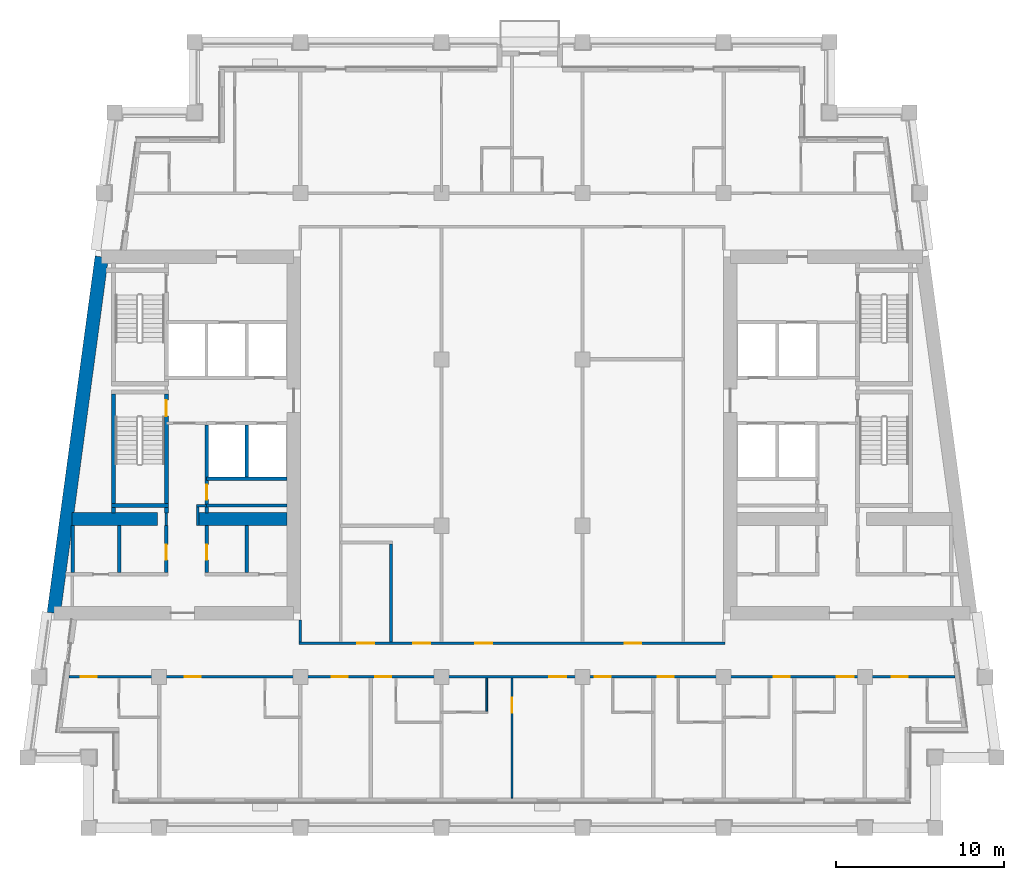
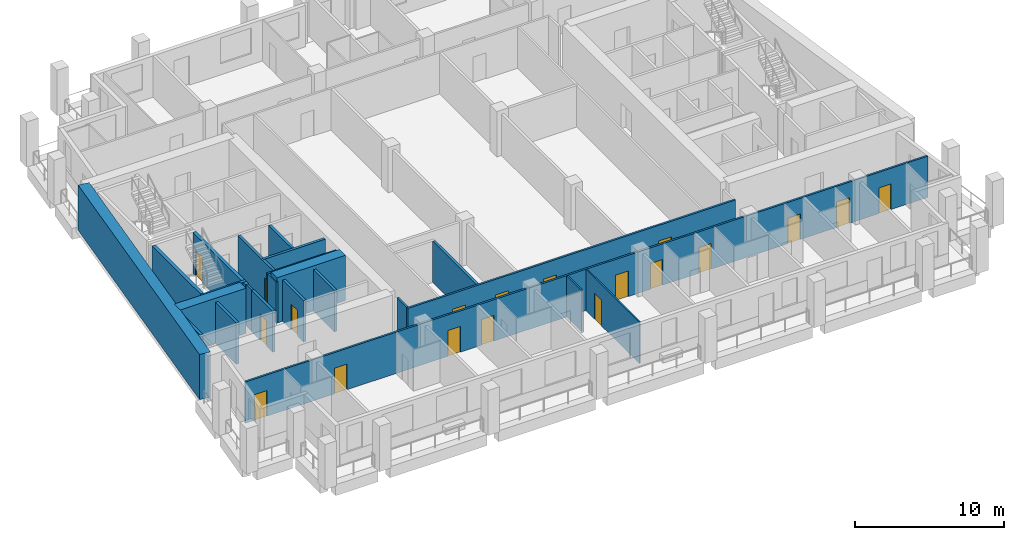
# One storey, part 3 of 13: 24 walls, 19 doors, 19 openings.
"""IFC4 building model written with IfcOpenShell, lengths in metres."""

from ifc_helpers import new_model, si_unit, direction, frame, frame_2d, origin, place, context, subcontext, project, spatial, rectangle, extrude, material, layer, layer_set, type_object, element, fill, save


model = new_model("IFC4")

# Units and contexts
model_context = context("Model", 3, precision=1e-05, world=origin(), true_north=direction((0.0, 1.0)))
body_context = subcontext(model_context, "Body", "Model", "MODEL_VIEW")
ifc_project = project(units=[si_unit("LENGTHUNIT", "METRE"), si_unit("AREAUNIT", "SQUARE_METRE"), si_unit("VOLUMEUNIT", "CUBIC_METRE"), si_unit("PLANEANGLEUNIT", "RADIAN"), si_unit("MASSUNIT", "GRAM", prefix="KILO")], contexts=[model_context])

# Site, building, storey
site_placement = place(None, origin())
site = spatial("IfcSite", under=ifc_project, at=site_placement, CompositionType="ELEMENT")
building_placement = place(site_placement, origin())
building = spatial("IfcBuilding", under=site, at=building_placement, Name="Candeia Pilgrim Tower and Theatre", CompositionType="ELEMENT")
storey_placement = place(building_placement, frame((0.0, 0.0, 220.699951171875)))
storey = spatial("IfcBuildingStorey", under=building, at=storey_placement, Name="L53", CompositionType="ELEMENT", Elevation=220.699951171875)

# Walls
ifc_material_1 = material(Name="Concrete C50/60", Category="concrete")
ifc_layer_1 = layer(ifc_material_1, 0.800048828125)
ifc_layer_set_1 = layer_set([ifc_layer_1], Name="Core wall 800 C50/60")
wall_type_1 = type_object("IfcWallType", Name="Core wall 800 C50/60", PredefinedType="SHEAR", material=ifc_layer_set_1)
wall_1_placement = place(storey_placement, frame((86.126708984375, 110.800048828125, 0.0), z_axis=(0.0, 0.0, 1.0), x_axis=(0.133408347329, 0.991061154956, 0.0)))
element("IfcWall", 1, at=wall_1_placement, inside=storey, type_object=wall_type_1, Name="Core wall W4", PredefinedType="SHEAR", context=body_context, shape_type="SweptSolid", body=[
    extrude(rectangle(XDim=21.39111328125, YDim=0.800048828125, at=frame_2d((10.695556640625, 0.0))), origin(), (0.0, 0.0, 1.0), 3.699951171875),
])
wall_2_placement = place(storey_placement, frame((87.22314453125, 116.39990234375, 0.0), z_axis=(0.0, 0.0, 1.0), x_axis=(1.0, 0.0, 0.0)))
element("IfcWall", 2, at=wall_2_placement, inside=storey, type_object=wall_type_1, Name="Core wall W5", PredefinedType="SHEAR", context=body_context, shape_type="SweptSolid", body=[
    extrude(rectangle(XDim=5.076904296875, YDim=0.800048828125, at=frame_2d((2.53857421875, 0.0))), origin(), (0.0, 0.0, 1.0), 3.699951171875),
])
wall_3_placement = place(storey_placement, frame((94.699951171875, 116.39990234375, 0.0), z_axis=(0.0, 0.0, 1.0), x_axis=(1.0, 0.0, 0.0)))
element("IfcWall", 3, at=wall_3_placement, inside=storey, type_object=wall_type_1, Name="Core wall W6", PredefinedType="SHEAR", context=body_context, shape_type="SweptSolid", body=[
    extrude(rectangle(XDim=5.300048828125, YDim=0.800048828125, at=frame_2d((2.64990234375, 0.0))), origin(), (0.0, 0.0, 1.0), 3.699951171875),
])
ifc_material_2 = material(Name="Gypsum board partition on steel studs", Category="steel")
ifc_layer_2 = layer(ifc_material_2, 0.10009765625)
ifc_layer_set_2 = layer_set([ifc_layer_2], Name="PW-100 room partition")
wall_type_2 = type_object("IfcWallType", Name="PW-100 room partition", PredefinedType="PARTITIONING", material=ifc_layer_set_2)
wall_4_placement = place(storey_placement, frame((111.89990234375, 104.949951171875, 0.0), z_axis=(0.0, 0.0, 1.0), x_axis=(0.0, 1.0, 0.0)))
element("IfcWall", 4, at=wall_4_placement, inside=storey, type_object=wall_type_2, Name="Room partition L53-084", PredefinedType="PARTITIONING", context=body_context, shape_type="SweptSolid", body=[
    extrude(rectangle(XDim=1.97509765625, YDim=0.10009765625, at=frame_2d((0.987548828125, 0.0))), origin(), (0.0, 0.0, 1.0), 3.380126953125),
])

# Wall, opening, door
wall_5_placement = place(storey_placement, frame((113.39990234375, 99.7900390625, 0.0), z_axis=(0.0, 0.0, 1.0), x_axis=(0.0, 1.0, 0.0)))
wall_5 = element("IfcWall", 5, at=wall_5_placement, inside=storey, type_object=wall_type_2, Name="Room partition L53-085", PredefinedType="PARTITIONING", context=body_context, shape_type="SweptSolid", body=[
    extrude(rectangle(XDim=7.135009765625, YDim=0.10009765625, at=frame_2d((3.5673828125, 0.0))), origin(), (0.0, 0.0, 1.0), 3.380126953125),
])
opening_1_placement = place(wall_5_placement, frame((5.074951171875, 0.0, 0.0)))
opening_1 = element("IfcOpeningElement", 6, at=opening_1_placement, cuts=wall_5, Name="Opening L53-D025", PredefinedType="OPENING", context=body_context, shape_type="SweptSolid", body=[
    extrude(rectangle(XDim=0.89990234375, YDim=2.10009765625, at=frame_2d((0.449951171875, 1.050048828125))), frame((0.0, 0.06005859375, 0.0), z_axis=(0.0, -1.0, 0.0), x_axis=(1.0, 0.0, 0.0)), (0.0, 0.0, 1.0), 0.1201171875),
])
ifc_material_3 = material(Name="Timber door leaf", Category="wood")
door_type_1 = type_object("IfcDoorType", Name="D-900", OperationType="NOTDEFINED", PredefinedType="DOOR", material=ifc_material_3)
door_1_placement = place(opening_1_placement, origin())
door_1 = element("IfcDoor", 7, at=door_1_placement, inside=storey, type_object=door_type_1, Name="Door L53-D025", OperationType="SINGLE_SWING_RIGHT", OverallHeight=2.10009765625, OverallWidth=0.89990234375, PredefinedType="DOOR", context=body_context, shape_type="SweptSolid", body=[
    extrude(rectangle(XDim=0.89990234375, YDim=2.10009765625, at=frame_2d((0.449951171875, 1.050048828125))), frame((0.0, 0.02490234375, 0.0), z_axis=(0.0, -1.0, 0.0), x_axis=(1.0, 0.0, 0.0)), (0.0, 0.0, 1.0), 0.050048828125),
])
fill(opening_1, door_1)

# Walls
ifc_layer_3 = layer(ifc_material_2, 0.14990234375)
ifc_layer_set_3 = layer_set([ifc_layer_3], Name="PW-150 lobby wall")
wall_type_3 = type_object("IfcWallType", Name="PW-150 lobby wall", PredefinedType="PARTITIONING", material=ifc_layer_set_3)
wall_6_placement = place(storey_placement, frame((94.625, 117.199951171875, 0.0), z_axis=(0.0, 0.0, 1.0), x_axis=(1.0, 0.0, 0.0)))
element("IfcWall", 8, at=wall_6_placement, inside=storey, type_object=wall_type_3, Name="Lobby wall L53-020", PredefinedType="PARTITIONING", context=body_context, shape_type="SweptSolid", body=[
    extrude(rectangle(XDim=0.60205078125, YDim=0.14990234375, at=frame_2d((0.301025390625, 0.0))), origin(), (0.0, 0.0, 1.0), 3.380126953125),
])
wall_7_placement = place(storey_placement, frame((92.826904296875, 116.0, 0.0), z_axis=(0.0, 0.0, 1.0), x_axis=(0.0, 1.0, 0.0)))
element("IfcWall", 9, at=wall_7_placement, inside=storey, type_object=wall_type_3, Name="Lobby wall L53-058", PredefinedType="PARTITIONING", context=body_context, shape_type="SweptSolid", body=[
    extrude(rectangle(XDim=0.77001953125, YDim=0.14990234375, at=frame_2d((0.385009765625, 0.0))), origin(), (0.0, 0.0, 1.0), 3.380126953125),
])
wall_8_placement = place(storey_placement, frame((94.699951171875, 116.0, 0.0), z_axis=(0.0, 0.0, 1.0), x_axis=(0.0, 1.0, 0.0)))
element("IfcWall", 10, at=wall_8_placement, inside=storey, type_object=wall_type_3, Name="Lobby wall L53-063", PredefinedType="PARTITIONING", context=body_context, shape_type="SweptSolid", body=[
    extrude(rectangle(XDim=1.125, YDim=0.14990234375, at=frame_2d((0.5625, 0.0))), origin(), (0.0, 0.0, 1.0), 3.380126953125),
])

# Wall, openings, doors
ifc_layer_4 = layer(ifc_material_2, 0.14990234375)
ifc_layer_set_4 = layer_set([ifc_layer_4], Name="PW-150 unit wall")
wall_type_4 = type_object("IfcWallType", Name="PW-150 unit wall", PredefinedType="PARTITIONING", material=ifc_layer_set_4)
wall_9_placement = place(storey_placement, frame((87.017578125, 107.0, 0.0), z_axis=(0.0, 0.0, 1.0), x_axis=(1.0, 0.0, 0.0)))
wall_9 = element("IfcWall", 11, at=wall_9_placement, inside=storey, type_object=wall_type_4, Name="Unit wall L53-010", PredefinedType="PARTITIONING", context=body_context, shape_type="SweptSolid", body=[
    extrude(rectangle(XDim=52.7646484375, YDim=0.14990234375, at=frame_2d((26.38232421875, 0.0))), origin(), (0.0, 0.0, 1.0), 3.380126953125),
])
opening_2_placement = place(wall_9_placement, frame((0.707275390625, 0.0, 0.0)))
opening_2 = element("IfcOpeningElement", 12, at=opening_2_placement, cuts=wall_9, Name="Opening L53-D017", PredefinedType="OPENING", context=body_context, shape_type="SweptSolid", body=[
    extrude(rectangle(XDim=0.949951171875, YDim=2.10009765625, at=frame_2d((0.47509765625, 1.050048828125))), frame((0.0, 0.0849609375, 0.0), z_axis=(0.0, -1.0, 0.0), x_axis=(1.0, 0.0, 0.0)), (0.0, 0.0, 1.0), 0.169921875),
])
opening_3_placement = place(wall_9_placement, frame((6.894287109375, 0.0, 0.0)))
opening_3 = element("IfcOpeningElement", 13, at=opening_3_placement, cuts=wall_9, Name="Opening L53-D019", PredefinedType="OPENING", context=body_context, shape_type="SweptSolid", body=[
    extrude(rectangle(XDim=0.949951171875, YDim=2.10009765625, at=frame_2d((0.47509765625, 1.050048828125))), frame((0.0, 0.0849609375, 0.0), z_axis=(0.0, -1.0, 0.0), x_axis=(1.0, 0.0, 0.0)), (0.0, 0.0, 1.0), 0.169921875),
])
opening_4_placement = place(wall_9_placement, frame((15.662353515625, 0.0, 0.0)))
opening_4 = element("IfcOpeningElement", 14, at=opening_4_placement, cuts=wall_9, Name="Opening L53-D021", PredefinedType="OPENING", context=body_context, shape_type="SweptSolid", body=[
    extrude(rectangle(XDim=0.949951171875, YDim=2.10009765625, at=frame_2d((0.47509765625, 1.050048828125))), frame((0.0, 0.0849609375, 0.0), z_axis=(0.0, -1.0, 0.0), x_axis=(1.0, 0.0, 0.0)), (0.0, 0.0, 1.0), 0.169921875),
])
opening_5_placement = place(wall_9_placement, frame((18.25732421875, 0.0, 0.0)))
opening_5 = element("IfcOpeningElement", 15, at=opening_5_placement, cuts=wall_9, Name="Opening L53-D022", PredefinedType="OPENING", context=body_context, shape_type="SweptSolid", body=[
    extrude(rectangle(XDim=0.949951171875, YDim=2.10009765625, at=frame_2d((0.47509765625, 1.050048828125))), frame((0.0, 0.0849609375, 0.0), z_axis=(0.0, -1.0, 0.0), x_axis=(1.0, 0.0, 0.0)), (0.0, 0.0, 1.0), 0.169921875),
])
opening_6_placement = place(wall_9_placement, frame((28.607421875, 0.0, 0.0)))
opening_6 = element("IfcOpeningElement", 16, at=opening_6_placement, cuts=wall_9, Name="Opening L53-D024", PredefinedType="OPENING", context=body_context, shape_type="SweptSolid", body=[
    extrude(rectangle(XDim=1.0, YDim=2.10009765625, at=frame_2d((0.5, 1.050048828125))), frame((0.0, 0.0849609375, 0.0), z_axis=(0.0, -1.0, 0.0), x_axis=(1.0, 0.0, 0.0)), (0.0, 0.0, 1.0), 0.169921875),
])
opening_7_placement = place(wall_9_placement, frame((31.30224609375, 0.0, 0.0)))
opening_7 = element("IfcOpeningElement", 17, at=opening_7_placement, cuts=wall_9, Name="Opening L53-D027", PredefinedType="OPENING", context=body_context, shape_type="SweptSolid", body=[
    extrude(rectangle(XDim=0.949951171875, YDim=2.10009765625, at=frame_2d((0.47509765625, 1.050048828125))), frame((0.0, 0.0849609375, 0.0), z_axis=(0.0, -1.0, 0.0), x_axis=(1.0, 0.0, 0.0)), (0.0, 0.0, 1.0), 0.169921875),
])
opening_8_placement = place(wall_9_placement, frame((35.057373046875, 0.0, 0.0)))
opening_8 = element("IfcOpeningElement", 18, at=opening_8_placement, cuts=wall_9, Name="Opening L53-D029", PredefinedType="OPENING", context=body_context, shape_type="SweptSolid", body=[
    extrude(rectangle(XDim=0.949951171875, YDim=2.10009765625, at=frame_2d((0.47509765625, 1.050048828125))), frame((0.0, 0.0849609375, 0.0), z_axis=(0.0, -1.0, 0.0), x_axis=(1.0, 0.0, 0.0)), (0.0, 0.0, 1.0), 0.169921875),
])
opening_9_placement = place(wall_9_placement, frame((41.957275390625, 0.0, 0.0)))
opening_9 = element("IfcOpeningElement", 19, at=opening_9_placement, cuts=wall_9, Name="Opening L53-D031", PredefinedType="OPENING", context=body_context, shape_type="SweptSolid", body=[
    extrude(rectangle(XDim=0.949951171875, YDim=2.10009765625, at=frame_2d((0.47509765625, 1.050048828125))), frame((0.0, 0.0849609375, 0.0), z_axis=(0.0, -1.0, 0.0), x_axis=(1.0, 0.0, 0.0)), (0.0, 0.0, 1.0), 0.169921875),
])
opening_10_placement = place(wall_9_placement, frame((45.71240234375, 0.0, 0.0)))
opening_10 = element("IfcOpeningElement", 20, at=opening_10_placement, cuts=wall_9, Name="Opening L53-D033", PredefinedType="OPENING", context=body_context, shape_type="SweptSolid", body=[
    extrude(rectangle(XDim=1.0, YDim=2.10009765625, at=frame_2d((0.5, 1.050048828125))), frame((0.0, 0.0849609375, 0.0), z_axis=(0.0, -1.0, 0.0), x_axis=(1.0, 0.0, 0.0)), (0.0, 0.0, 1.0), 0.169921875),
])
opening_11_placement = place(wall_9_placement, frame((48.974365234375, 0.0, 0.0)))
opening_11 = element("IfcOpeningElement", 21, at=opening_11_placement, cuts=wall_9, Name="Opening L53-D035", PredefinedType="OPENING", context=body_context, shape_type="SweptSolid", body=[
    extrude(rectangle(XDim=0.949951171875, YDim=2.10009765625, at=frame_2d((0.47509765625, 1.050048828125))), frame((0.0, 0.0849609375, 0.0), z_axis=(0.0, -1.0, 0.0), x_axis=(1.0, 0.0, 0.0)), (0.0, 0.0, 1.0), 0.169921875),
])
ifc_material_4 = material(Name="Steel fire door set", Category="steel")
door_type_2 = type_object("IfcDoorType", Name="D-1000-FD30S", OperationType="NOTDEFINED", PredefinedType="DOOR", material=ifc_material_4)
door_2_placement = place(opening_6_placement, origin())
door_2 = element("IfcDoor", 22, at=door_2_placement, inside=storey, type_object=door_type_2, Name="Door L53-D024", OperationType="SINGLE_SWING_LEFT", OverallHeight=2.10009765625, OverallWidth=1.0, PredefinedType="DOOR", context=body_context, shape_type="SweptSolid", body=[
    extrude(rectangle(XDim=1.0, YDim=2.10009765625, at=frame_2d((0.5, 1.050048828125))), frame((0.0, 0.02490234375, 0.0), z_axis=(0.0, -1.0, 0.0), x_axis=(1.0, 0.0, 0.0)), (0.0, 0.0, 1.0), 0.050048828125),
])
fill(opening_6, door_2)
door_3_placement = place(opening_10_placement, origin())
door_3 = element("IfcDoor", 23, at=door_3_placement, inside=storey, type_object=door_type_2, Name="Door L53-D033", OperationType="SINGLE_SWING_RIGHT", OverallHeight=2.10009765625, OverallWidth=1.0, PredefinedType="DOOR", context=body_context, shape_type="SweptSolid", body=[
    extrude(rectangle(XDim=1.0, YDim=2.10009765625, at=frame_2d((0.5, 1.050048828125))), frame((0.0, 0.02490234375, 0.0), z_axis=(0.0, -1.0, 0.0), x_axis=(1.0, 0.0, 0.0)), (0.0, 0.0, 1.0), 0.050048828125),
])
fill(opening_10, door_3)
door_type_3 = type_object("IfcDoorType", Name="D-950-FD30S", OperationType="NOTDEFINED", PredefinedType="DOOR", material=ifc_material_4)
door_4_placement = place(opening_2_placement, origin())
door_4 = element("IfcDoor", 24, at=door_4_placement, inside=storey, type_object=door_type_3, Name="Door L53-D017", OperationType="SINGLE_SWING_RIGHT", OverallHeight=2.10009765625, OverallWidth=0.949951171875, PredefinedType="DOOR", context=body_context, shape_type="SweptSolid", body=[
    extrude(rectangle(XDim=0.949951171875, YDim=2.10009765625, at=frame_2d((0.47509765625, 1.050048828125))), frame((0.0, 0.02490234375, 0.0), z_axis=(0.0, -1.0, 0.0), x_axis=(1.0, 0.0, 0.0)), (0.0, 0.0, 1.0), 0.050048828125),
])
fill(opening_2, door_4)
door_5_placement = place(opening_3_placement, origin())
door_5 = element("IfcDoor", 25, at=door_5_placement, inside=storey, type_object=door_type_3, Name="Door L53-D019", OperationType="SINGLE_SWING_RIGHT", OverallHeight=2.10009765625, OverallWidth=0.949951171875, PredefinedType="DOOR", context=body_context, shape_type="SweptSolid", body=[
    extrude(rectangle(XDim=0.949951171875, YDim=2.10009765625, at=frame_2d((0.47509765625, 1.050048828125))), frame((0.0, 0.02490234375, 0.0), z_axis=(0.0, -1.0, 0.0), x_axis=(1.0, 0.0, 0.0)), (0.0, 0.0, 1.0), 0.050048828125),
])
fill(opening_3, door_5)
door_6_placement = place(opening_4_placement, origin())
door_6 = element("IfcDoor", 26, at=door_6_placement, inside=storey, type_object=door_type_3, Name="Door L53-D021", OperationType="SINGLE_SWING_RIGHT", OverallHeight=2.10009765625, OverallWidth=0.949951171875, PredefinedType="DOOR", context=body_context, shape_type="SweptSolid", body=[
    extrude(rectangle(XDim=0.949951171875, YDim=2.10009765625, at=frame_2d((0.47509765625, 1.050048828125))), frame((0.0, 0.02490234375, 0.0), z_axis=(0.0, -1.0, 0.0), x_axis=(1.0, 0.0, 0.0)), (0.0, 0.0, 1.0), 0.050048828125),
])
fill(opening_4, door_6)
door_7_placement = place(opening_5_placement, origin())
door_7 = element("IfcDoor", 27, at=door_7_placement, inside=storey, type_object=door_type_3, Name="Door L53-D022", OperationType="SINGLE_SWING_LEFT", OverallHeight=2.10009765625, OverallWidth=0.949951171875, PredefinedType="DOOR", context=body_context, shape_type="SweptSolid", body=[
    extrude(rectangle(XDim=0.949951171875, YDim=2.10009765625, at=frame_2d((0.47509765625, 1.050048828125))), frame((0.0, 0.02490234375, 0.0), z_axis=(0.0, -1.0, 0.0), x_axis=(1.0, 0.0, 0.0)), (0.0, 0.0, 1.0), 0.050048828125),
])
fill(opening_5, door_7)
door_8_placement = place(opening_7_placement, origin())
door_8 = element("IfcDoor", 28, at=door_8_placement, inside=storey, type_object=door_type_3, Name="Door L53-D027", OperationType="SINGLE_SWING_RIGHT", OverallHeight=2.10009765625, OverallWidth=0.949951171875, PredefinedType="DOOR", context=body_context, shape_type="SweptSolid", body=[
    extrude(rectangle(XDim=0.949951171875, YDim=2.10009765625, at=frame_2d((0.47509765625, 1.050048828125))), frame((0.0, 0.02490234375, 0.0), z_axis=(0.0, -1.0, 0.0), x_axis=(1.0, 0.0, 0.0)), (0.0, 0.0, 1.0), 0.050048828125),
])
fill(opening_7, door_8)
door_9_placement = place(opening_8_placement, origin())
door_9 = element("IfcDoor", 29, at=door_9_placement, inside=storey, type_object=door_type_3, Name="Door L53-D029", OperationType="SINGLE_SWING_RIGHT", OverallHeight=2.10009765625, OverallWidth=0.949951171875, PredefinedType="DOOR", context=body_context, shape_type="SweptSolid", body=[
    extrude(rectangle(XDim=0.949951171875, YDim=2.10009765625, at=frame_2d((0.47509765625, 1.050048828125))), frame((0.0, 0.02490234375, 0.0), z_axis=(0.0, -1.0, 0.0), x_axis=(1.0, 0.0, 0.0)), (0.0, 0.0, 1.0), 0.050048828125),
])
fill(opening_8, door_9)
door_10_placement = place(opening_9_placement, origin())
door_10 = element("IfcDoor", 30, at=door_10_placement, inside=storey, type_object=door_type_3, Name="Door L53-D031", OperationType="SINGLE_SWING_RIGHT", OverallHeight=2.10009765625, OverallWidth=0.949951171875, PredefinedType="DOOR", context=body_context, shape_type="SweptSolid", body=[
    extrude(rectangle(XDim=0.949951171875, YDim=2.10009765625, at=frame_2d((0.47509765625, 1.050048828125))), frame((0.0, 0.02490234375, 0.0), z_axis=(0.0, -1.0, 0.0), x_axis=(1.0, 0.0, 0.0)), (0.0, 0.0, 1.0), 0.050048828125),
])
fill(opening_9, door_10)
door_11_placement = place(opening_11_placement, origin())
door_11 = element("IfcDoor", 31, at=door_11_placement, inside=storey, type_object=door_type_3, Name="Door L53-D035", OperationType="SINGLE_SWING_RIGHT", OverallHeight=2.10009765625, OverallWidth=0.949951171875, PredefinedType="DOOR", context=body_context, shape_type="SweptSolid", body=[
    extrude(rectangle(XDim=0.949951171875, YDim=2.10009765625, at=frame_2d((0.47509765625, 1.050048828125))), frame((0.0, 0.02490234375, 0.0), z_axis=(0.0, -1.0, 0.0), x_axis=(1.0, 0.0, 0.0)), (0.0, 0.0, 1.0), 0.050048828125),
])
fill(opening_11, door_11)

wall_10_placement = place(storey_placement, frame((100.72509765625, 109.0, 0.0), z_axis=(0.0, 0.0, 1.0), x_axis=(1.0, 0.0, 0.0)))
wall_10 = element("IfcWall", 32, at=wall_10_placement, inside=storey, type_object=wall_type_4, Name="Unit wall L53-011", PredefinedType="PARTITIONING", context=body_context, shape_type="SweptSolid", body=[
    extrude(rectangle(XDim=25.349853515625, YDim=0.14990234375, at=frame_2d((12.6748046875, 0.0))), origin(), (0.0, 0.0, 1.0), 3.380126953125),
])
opening_12_placement = place(wall_10_placement, frame((6.800048828125, 0.0, 0.0)))
opening_12 = element("IfcOpeningElement", 33, at=opening_12_placement, cuts=wall_10, Name="Opening L53-D050", PredefinedType="OPENING", context=body_context, shape_type="SweptSolid", body=[
    extrude(rectangle(XDim=1.0, YDim=2.10009765625, at=frame_2d((0.5, 1.050048828125))), frame((0.0, 0.0849609375, 0.0), z_axis=(0.0, -1.0, 0.0), x_axis=(1.0, 0.0, 0.0)), (0.0, 0.0, 1.0), 0.169921875),
])
opening_13_placement = place(wall_10_placement, frame((3.47509765625, 0.0, 0.0)))
opening_13 = element("IfcOpeningElement", 34, at=opening_13_placement, cuts=wall_10, Name="Opening L53-D051", PredefinedType="OPENING", context=body_context, shape_type="SweptSolid", body=[
    extrude(rectangle(XDim=1.0, YDim=2.10009765625, at=frame_2d((0.5, 1.050048828125))), frame((0.0, 0.0849609375, 0.0), z_axis=(0.0, -1.0, 0.0), x_axis=(1.0, 0.0, 0.0)), (0.0, 0.0, 1.0), 0.169921875),
])
opening_14_placement = place(wall_10_placement, frame((10.5, 0.0, 0.0)))
opening_14 = element("IfcOpeningElement", 35, at=opening_14_placement, cuts=wall_10, Name="Opening L53-D053", PredefinedType="OPENING", context=body_context, shape_type="SweptSolid", body=[
    extrude(rectangle(XDim=1.0, YDim=2.10009765625, at=frame_2d((0.5, 1.050048828125))), frame((0.0, 0.0849609375, 0.0), z_axis=(0.0, -1.0, 0.0), x_axis=(1.0, 0.0, 0.0)), (0.0, 0.0, 1.0), 0.169921875),
])
opening_15_placement = place(wall_10_placement, frame((19.375, 0.0, 0.0)))
opening_15 = element("IfcOpeningElement", 36, at=opening_15_placement, cuts=wall_10, Name="Opening L53-D054", PredefinedType="OPENING", context=body_context, shape_type="SweptSolid", body=[
    extrude(rectangle(XDim=1.0, YDim=2.10009765625, at=frame_2d((0.5, 1.050048828125))), frame((0.0, 0.0849609375, 0.0), z_axis=(0.0, -1.0, 0.0), x_axis=(1.0, 0.0, 0.0)), (0.0, 0.0, 1.0), 0.169921875),
])
door_12_placement = place(opening_12_placement, origin())
door_12 = element("IfcDoor", 37, at=door_12_placement, inside=storey, type_object=door_type_2, Name="Door L53-D050", OperationType="SINGLE_SWING_LEFT", OverallHeight=2.10009765625, OverallWidth=1.0, PredefinedType="DOOR", context=body_context, shape_type="SweptSolid", body=[
    extrude(rectangle(XDim=1.0, YDim=2.10009765625, at=frame_2d((0.5, 1.050048828125))), frame((0.0, 0.02490234375, 0.0), z_axis=(0.0, -1.0, 0.0), x_axis=(1.0, 0.0, 0.0)), (0.0, 0.0, 1.0), 0.050048828125),
])
fill(opening_12, door_12)
door_13_placement = place(opening_13_placement, origin())
door_13 = element("IfcDoor", 38, at=door_13_placement, inside=storey, type_object=door_type_2, Name="Door L53-D051", OperationType="SINGLE_SWING_RIGHT", OverallHeight=2.10009765625, OverallWidth=1.0, PredefinedType="DOOR", context=body_context, shape_type="SweptSolid", body=[
    extrude(rectangle(XDim=1.0, YDim=2.10009765625, at=frame_2d((0.5, 1.050048828125))), frame((0.0, 0.02490234375, 0.0), z_axis=(0.0, -1.0, 0.0), x_axis=(1.0, 0.0, 0.0)), (0.0, 0.0, 1.0), 0.050048828125),
])
fill(opening_13, door_13)
door_14_placement = place(opening_14_placement, origin())
door_14 = element("IfcDoor", 39, at=door_14_placement, inside=storey, type_object=door_type_2, Name="Door L53-D053", OperationType="SINGLE_SWING_RIGHT", OverallHeight=2.10009765625, OverallWidth=1.0, PredefinedType="DOOR", context=body_context, shape_type="SweptSolid", body=[
    extrude(rectangle(XDim=1.0, YDim=2.10009765625, at=frame_2d((0.5, 1.050048828125))), frame((0.0, 0.02490234375, 0.0), z_axis=(0.0, -1.0, 0.0), x_axis=(1.0, 0.0, 0.0)), (0.0, 0.0, 1.0), 0.050048828125),
])
fill(opening_14, door_14)
door_15_placement = place(opening_15_placement, origin())
door_15 = element("IfcDoor", 40, at=door_15_placement, inside=storey, type_object=door_type_2, Name="Door L53-D054", OperationType="SINGLE_SWING_LEFT", OverallHeight=2.10009765625, OverallWidth=1.0, PredefinedType="DOOR", context=body_context, shape_type="SweptSolid", body=[
    extrude(rectangle(XDim=1.0, YDim=2.10009765625, at=frame_2d((0.5, 1.050048828125))), frame((0.0, 0.02490234375, 0.0), z_axis=(0.0, -1.0, 0.0), x_axis=(1.0, 0.0, 0.0)), (0.0, 0.0, 1.0), 0.050048828125),
])
fill(opening_15, door_15)

# Walls
wall_11_placement = place(storey_placement, frame((100.800048828125, 109.074951171875, 0.0), z_axis=(0.0, 0.0, 1.0), x_axis=(0.0, 1.0, 0.0)))
element("IfcWall", 41, at=wall_11_placement, inside=storey, type_object=wall_type_4, Name="Unit wall L53-074", PredefinedType="PARTITIONING", context=body_context, shape_type="SweptSolid", body=[
    extrude(rectangle(XDim=1.324951171875, YDim=0.14990234375, at=frame_2d((0.66259765625, 0.0))), origin(), (0.0, 0.0, 1.0), 3.380126953125),
])
ifc_layer_5 = layer(ifc_material_2, 0.199951171875)
ifc_layer_set_5 = layer_set([ifc_layer_5], Name="PW-200 party wall")
wall_type_5 = type_object("IfcWallType", Name="PW-200 party wall", PredefinedType="PARTITIONING", material=ifc_layer_set_5)
wall_12_placement = place(storey_placement, frame((106.199951171875, 109.074951171875, 0.0), z_axis=(0.0, 0.0, 1.0), x_axis=(0.0, 1.0, 0.0)))
element("IfcWall", 42, at=wall_12_placement, inside=storey, type_object=wall_type_5, Name="Party wall L53-078", PredefinedType="PARTITIONING", context=body_context, shape_type="SweptSolid", body=[
    extrude(rectangle(XDim=5.824951171875, YDim=0.199951171875, at=frame_2d((2.91259765625, 0.0))), origin(), (0.0, 0.0, 1.0), 3.380126953125),
])
ifc_material_5 = material(Name="Concrete C40/50", Category="concrete")
ifc_layer_6 = layer(ifc_material_5, 0.199951171875)
ifc_layer_set_6 = layer_set([ifc_layer_6], Name="SW-200 shaft wall")
wall_type_6 = type_object("IfcWallType", Name="SW-200 shaft wall", PredefinedType="PARTITIONING", material=ifc_layer_set_6)
for number, where, z_axis, x_axis, name in (
    (43, (95.22705078125, 117.199951171875, 0.0), (0.0, 0.0, 1.0), (1.0, 0.0, 0.0), "Shaft wall L53-018"),
    (44, (95.22705078125, 118.800048828125, 0.0), (0.0, 0.0, 1.0), (1.0, 0.0, 0.0), "Shaft wall L53-024"),
):
    element("IfcWall", number, at=place(storey_placement, frame(where, z_axis=z_axis, x_axis=x_axis)), inside=storey, type_object=wall_type_6, Name=name, PredefinedType="PARTITIONING", context=body_context, shape_type="SweptSolid", body=[
        extrude(rectangle(XDim=4.77294921875, YDim=0.199951171875, at=frame_2d((2.386474609375, 0.0))), origin(), (0.0, 0.0, 1.0), 3.380126953125),
    ])
for number, where, z_axis, x_axis, name in (
    (45, (87.24951171875, 113.199951171875, 0.0), (0.0, 0.0, 1.0), (0.0, 1.0, 0.0), "Shaft wall L53-050"),
    (46, (90.027099609375, 113.199951171875, 0.0), (0.0, 0.0, 1.0), (0.0, 1.0, 0.0), "Shaft wall L53-055"),
):
    element("IfcWall", number, at=place(storey_placement, frame(where, z_axis=z_axis, x_axis=x_axis)), inside=storey, type_object=wall_type_6, Name=name, PredefinedType="PARTITIONING", context=body_context, shape_type="SweptSolid", body=[
        extrude(rectangle(XDim=2.800048828125, YDim=0.199951171875, at=frame_2d((1.39990234375, 0.0))), origin(), (0.0, 0.0, 1.0), 3.380126953125),
    ])

# Wall, opening, door
wall_13_placement = place(storey_placement, frame((92.826904296875, 113.199951171875, 0.0), z_axis=(0.0, 0.0, 1.0), x_axis=(0.0, 1.0, 0.0)))
wall_13 = element("IfcWall", 47, at=wall_13_placement, inside=storey, type_object=wall_type_6, Name="Shaft wall L53-057", PredefinedType="PARTITIONING", context=body_context, shape_type="SweptSolid", body=[
    extrude(rectangle(XDim=2.800048828125, YDim=0.199951171875, at=frame_2d((1.39990234375, 0.0))), origin(), (0.0, 0.0, 1.0), 3.380126953125),
])
opening_16_placement = place(wall_13_placement, frame((0.77001953125, 0.0, 0.0)))
opening_16 = element("IfcOpeningElement", 48, at=opening_16_placement, cuts=wall_13, Name="Opening L53-D006", PredefinedType="OPENING", context=body_context, shape_type="SweptSolid", body=[
    extrude(rectangle(XDim=0.89990234375, YDim=2.10009765625, at=frame_2d((0.449951171875, 1.050048828125))), frame((0.0, 0.10986328125, 0.0), z_axis=(0.0, -1.0, 0.0), x_axis=(1.0, 0.0, 0.0)), (0.0, 0.0, 1.0), 0.219970703125),
])
door_type_4 = type_object("IfcDoorType", Name="D-900-FD60", OperationType="NOTDEFINED", PredefinedType="DOOR", material=ifc_material_4)
door_16_placement = place(opening_16_placement, origin())
door_16 = element("IfcDoor", 49, at=door_16_placement, inside=storey, type_object=door_type_4, Name="Door L53-D006", OperationType="SINGLE_SWING_LEFT", OverallHeight=2.10009765625, OverallWidth=0.89990234375, PredefinedType="DOOR", context=body_context, shape_type="SweptSolid", body=[
    extrude(rectangle(XDim=0.89990234375, YDim=2.10009765625, at=frame_2d((0.449951171875, 1.050048828125))), frame((0.0, 0.02490234375, 0.0), z_axis=(0.0, -1.0, 0.0), x_axis=(1.0, 0.0, 0.0)), (0.0, 0.0, 1.0), 0.050048828125),
])
fill(opening_16, door_16)

wall_14_placement = place(storey_placement, frame((95.22705078125, 113.199951171875, 0.0), z_axis=(0.0, 0.0, 1.0), x_axis=(0.0, 1.0, 0.0)))
wall_14 = element("IfcWall", 50, at=wall_14_placement, inside=storey, type_object=wall_type_6, Name="Shaft wall L53-065", PredefinedType="PARTITIONING", context=body_context, shape_type="SweptSolid", body=[
    extrude(rectangle(XDim=2.800048828125, YDim=0.199951171875, at=frame_2d((1.39990234375, 0.0))), origin(), (0.0, 0.0, 1.0), 3.380126953125),
])
opening_17_placement = place(wall_14_placement, frame((0.77001953125, 0.0, 0.0)))
opening_17 = element("IfcOpeningElement", 51, at=opening_17_placement, cuts=wall_14, Name="Opening L53-D007", PredefinedType="OPENING", context=body_context, shape_type="SweptSolid", body=[
    extrude(rectangle(XDim=0.89990234375, YDim=2.10009765625, at=frame_2d((0.449951171875, 1.050048828125))), frame((0.0, 0.10986328125, 0.0), z_axis=(0.0, -1.0, 0.0), x_axis=(1.0, 0.0, 0.0)), (0.0, 0.0, 1.0), 0.219970703125),
])
door_17_placement = place(opening_17_placement, origin())
door_17 = element("IfcDoor", 52, at=door_17_placement, inside=storey, type_object=door_type_4, Name="Door L53-D007", OperationType="SINGLE_SWING_RIGHT", OverallHeight=2.10009765625, OverallWidth=0.89990234375, PredefinedType="DOOR", context=body_context, shape_type="SweptSolid", body=[
    extrude(rectangle(XDim=0.89990234375, YDim=2.10009765625, at=frame_2d((0.449951171875, 1.050048828125))), frame((0.0, 0.02490234375, 0.0), z_axis=(0.0, -1.0, 0.0), x_axis=(1.0, 0.0, 0.0)), (0.0, 0.0, 1.0), 0.050048828125),
])
fill(opening_17, door_17)

wall_15_placement = place(storey_placement, frame((95.22705078125, 116.77001953125, 0.0), z_axis=(0.0, 0.0, 1.0), x_axis=(0.0, 1.0, 0.0)))
wall_15 = element("IfcWall", 53, at=wall_15_placement, inside=storey, type_object=wall_type_6, Name="Shaft wall L53-066", PredefinedType="PARTITIONING", context=body_context, shape_type="SweptSolid", body=[
    extrude(rectangle(XDim=5.22998046875, YDim=0.199951171875, at=frame_2d((2.614990234375, 0.0))), origin(), (0.0, 0.0, 1.0), 3.380126953125),
])
opening_18_placement = place(wall_15_placement, frame((0.780029296875, 0.0, 0.0)))
opening_18 = element("IfcOpeningElement", 54, at=opening_18_placement, cuts=wall_15, Name="Opening L53-D004", PredefinedType="OPENING", context=body_context, shape_type="SweptSolid", body=[
    extrude(rectangle(XDim=0.89990234375, YDim=2.10009765625, at=frame_2d((0.449951171875, 1.050048828125))), frame((0.0, 0.10986328125, 0.0), z_axis=(0.0, -1.0, 0.0), x_axis=(1.0, 0.0, 0.0)), (0.0, 0.0, 1.0), 0.219970703125),
])
door_18_placement = place(opening_18_placement, origin())
door_18 = element("IfcDoor", 55, at=door_18_placement, inside=storey, type_object=door_type_4, Name="Door L53-D004", OperationType="SINGLE_SWING_LEFT", OverallHeight=2.10009765625, OverallWidth=0.89990234375, PredefinedType="DOOR", context=body_context, shape_type="SweptSolid", body=[
    extrude(rectangle(XDim=0.89990234375, YDim=2.10009765625, at=frame_2d((0.449951171875, 1.050048828125))), frame((0.0, 0.02490234375, 0.0), z_axis=(0.0, -1.0, 0.0), x_axis=(1.0, 0.0, 0.0)), (0.0, 0.0, 1.0), 0.050048828125),
])
fill(opening_18, door_18)

# Walls
wall_16_placement = place(storey_placement, frame((97.613525390625, 113.199951171875, 0.0), z_axis=(0.0, 0.0, 1.0), x_axis=(0.0, 1.0, 0.0)))
element("IfcWall", 56, at=wall_16_placement, inside=storey, type_object=wall_type_6, Name="Shaft wall L53-069", PredefinedType="PARTITIONING", context=body_context, shape_type="SweptSolid", body=[
    extrude(rectangle(XDim=2.800048828125, YDim=0.199951171875, at=frame_2d((1.39990234375, 0.0))), origin(), (0.0, 0.0, 1.0), 3.380126953125),
])
wall_17_placement = place(storey_placement, frame((97.613525390625, 118.89990234375, 0.0), z_axis=(0.0, 0.0, 1.0), x_axis=(0.0, 1.0, 0.0)))
element("IfcWall", 57, at=wall_17_placement, inside=storey, type_object=wall_type_6, Name="Shaft wall L53-070", PredefinedType="PARTITIONING", context=body_context, shape_type="SweptSolid", body=[
    extrude(rectangle(XDim=3.10009765625, YDim=0.199951171875, at=frame_2d((1.550048828125, 0.0))), origin(), (0.0, 0.0, 1.0), 3.380126953125),
])
ifc_layer_7 = layer(ifc_material_5, 0.25)
ifc_layer_set_7 = layer_set([ifc_layer_7], Name="SW-250 stair wall")
wall_type_7 = type_object("IfcWallType", Name="SW-250 stair wall", PredefinedType="PARTITIONING", material=ifc_layer_set_7)
wall_18_placement = place(storey_placement, frame((89.552001953125, 117.199951171875, 0.0), z_axis=(0.0, 0.0, 1.0), x_axis=(1.0, 0.0, 0.0)))
element("IfcWall", 58, at=wall_18_placement, inside=storey, type_object=wall_type_7, Name="Stair wall L53-022", PredefinedType="PARTITIONING", context=body_context, shape_type="SweptSolid", body=[
    extrude(rectangle(XDim=3.39990234375, YDim=0.25, at=frame_2d((1.699951171875, 0.0))), origin(), (0.0, 0.0, 1.0), 3.380126953125),
])
wall_19_placement = place(storey_placement, frame((89.677001953125, 116.77001953125, 0.0), z_axis=(0.0, 0.0, 1.0), x_axis=(0.0, 1.0, 0.0)))
element("IfcWall", 59, at=wall_19_placement, inside=storey, type_object=wall_type_7, Name="Stair wall L53-052", PredefinedType="PARTITIONING", context=body_context, shape_type="SweptSolid", body=[
    extrude(rectangle(XDim=7.054931640625, YDim=0.25, at=frame_2d((3.52734375, 0.0))), origin(), (0.0, 0.0, 1.0), 3.380126953125),
])

# Wall, opening, door
wall_20_placement = place(storey_placement, frame((92.826904296875, 116.77001953125, 0.0), z_axis=(0.0, 0.0, 1.0), x_axis=(0.0, 1.0, 0.0)))
wall_20 = element("IfcWall", 60, at=wall_20_placement, inside=storey, type_object=wall_type_7, Name="Stair wall L53-060", PredefinedType="PARTITIONING", context=body_context, shape_type="SweptSolid", body=[
    extrude(rectangle(XDim=7.054931640625, YDim=0.25, at=frame_2d((3.52734375, 0.0))), origin(), (0.0, 0.0, 1.0), 3.380126953125),
])
opening_19_placement = place(wall_20_placement, frame((5.7548828125, 0.0, 0.0)))
opening_19 = element("IfcOpeningElement", 61, at=opening_19_placement, cuts=wall_20, Name="Opening L53-D002", PredefinedType="OPENING", context=body_context, shape_type="SweptSolid", body=[
    extrude(rectangle(XDim=0.949951171875, YDim=2.10009765625, at=frame_2d((0.47509765625, 1.050048828125))), frame((0.0, 0.135009765625, 0.0), z_axis=(0.0, -1.0, 0.0), x_axis=(1.0, 0.0, 0.0)), (0.0, 0.0, 1.0), 0.27001953125),
])
door_type_5 = type_object("IfcDoorType", Name="D-950-FD60", OperationType="NOTDEFINED", PredefinedType="DOOR", material=ifc_material_4)
door_19_placement = place(opening_19_placement, origin())
door_19 = element("IfcDoor", 62, at=door_19_placement, inside=storey, type_object=door_type_5, Name="Door L53-D002", OperationType="SINGLE_SWING_LEFT", OverallHeight=2.10009765625, OverallWidth=0.949951171875, PredefinedType="DOOR", context=body_context, shape_type="SweptSolid", body=[
    extrude(rectangle(XDim=0.949951171875, YDim=2.10009765625, at=frame_2d((0.47509765625, 1.050048828125))), frame((0.0, 0.02490234375, 0.0), z_axis=(0.0, -1.0, 0.0), x_axis=(1.0, 0.0, 0.0)), (0.0, 0.0, 1.0), 0.050048828125),
])
fill(opening_19, door_19)

save(model, "model.ifc")
